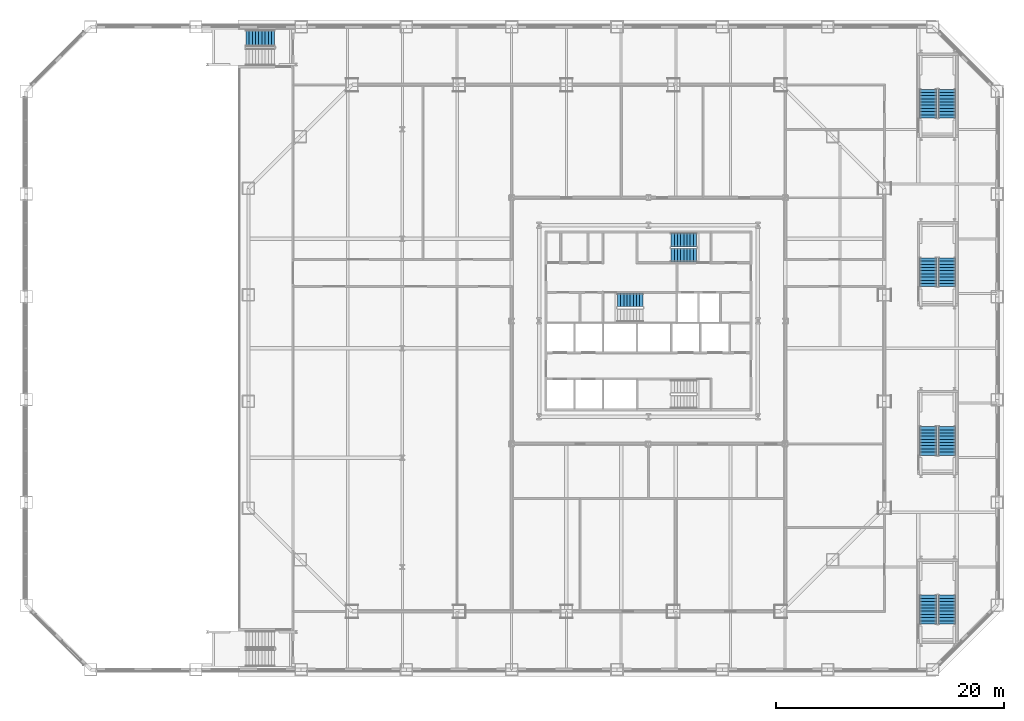
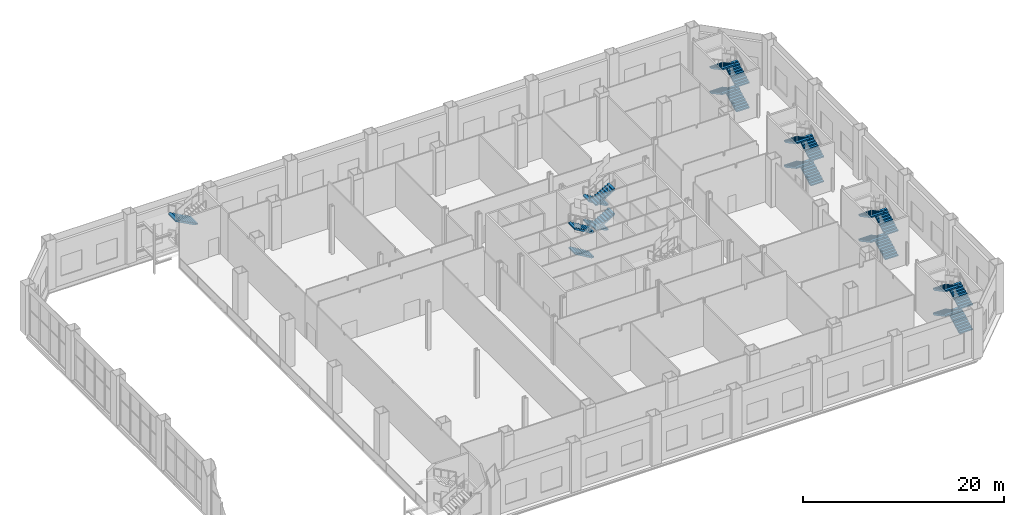
# One storey, part 23 of 31: 23 stair flights, 7 elements without a shape of their own.
"""IFC4 building model written with IfcOpenShell, lengths in metres."""

import ifcopenshell
import ifcopenshell.guid

model = None  # the IFC model being written
_history = None  # IfcOwnerHistory: only IFC2X3 demands one
_inside = {}  # id of a spatial element -> (the spatial element, [elements in it])
_under = {}  # id of a project, library or spatial element -> (it, [spatial elements below it])
_declared = {}  # id of a project -> (the project, [libraries it declares])
_typed = {}  # id of a type object -> (the type object, [elements of that type])
_made_of = {}  # id of a material, layer set ... -> (it, [elements and type objects made of it])


def new_model(schema):
    """Start an empty IFC model of exactly this schema.

    Asked for "IFC4X3", IfcOpenShell would pick the latest addendum, in which some entities
    have other attributes; the version numbers below select the first issue.
    IFC2X3 requires an IfcOwnerHistory on every rooted entity: one is made here for all.
    """
    global model, _history
    if schema == "IFC4X3":
        model = ifcopenshell.file(schema_version=(4, 3, 0, 0))
    else:
        model = ifcopenshell.file(schema=schema)
    _inside.clear()
    _under.clear()
    _declared.clear()
    _typed.clear()
    _made_of.clear()
    _history = None
    if model.schema == "IFC2X3":
        org = make("IfcOrganization", Name="unknown")
        user = make(
            "IfcPersonAndOrganization",
            ThePerson=make("IfcPerson", FamilyName="unknown"),
            TheOrganization=org,
        )
        app = make(
            "IfcApplication",
            ApplicationDeveloper=org,
            Version="unknown",
            ApplicationFullName="unknown",
            ApplicationIdentifier="unknown",
        )
        _history = make(
            "IfcOwnerHistory",
            OwningUser=user,
            OwningApplication=app,
            ChangeAction="ADDED",
            CreationDate=0,
        )
    return model


def make(cls, **values):
    """One entity of the class cls with the attributes given. An attribute that is None is left unset."""
    return model.create_entity(
        cls, **{name: value for name, value in values.items() if value is not None}
    )


def rooted(cls, **values):
    """An entity with a GlobalId (a new one), such as an element, a storey or a relation."""
    return make(cls, GlobalId=ifcopenshell.guid.new(), OwnerHistory=_history, **values)


def si_unit(unit_type, name, prefix=None):
    """IfcSIUnit, for example si_unit("LENGTHUNIT", "METRE", prefix="MILLI")."""
    return make("IfcSIUnit", UnitType=unit_type, Prefix=prefix, Name=name)


def assignment(units):
    """IfcUnitAssignment: the units of a project."""
    return None if units is None else make("IfcUnitAssignment", Units=units)


def point(xyz):
    """IfcCartesianPoint."""
    return None if xyz is None else make("IfcCartesianPoint", Coordinates=xyz)


def direction(xyz):
    """IfcDirection."""
    return None if xyz is None else make("IfcDirection", DirectionRatios=xyz)


def frame(location, z_axis=None, x_axis=None):
    """IfcAxis2Placement3D, a coordinate frame: its origin and axes. An axis left out is left unset."""
    return make(
        "IfcAxis2Placement3D",
        Location=point(location),
        Axis=direction(z_axis),
        RefDirection=direction(x_axis),
    )


def origin():
    """The frame at (0, 0, 0) with its axes left unset."""
    return frame((0.0, 0.0, 0.0))


def place(relative_to, where):
    """IfcLocalPlacement: puts the frame where relative to a parent placement (None: the world)."""
    return make(
        "IfcLocalPlacement", PlacementRelTo=relative_to, RelativePlacement=where
    )


def context(
    kind, dimensions, precision=None, world=None, true_north=None, identifier=None
):
    """IfcGeometricRepresentationContext, for example the 3D "Model" context."""
    return make(
        "IfcGeometricRepresentationContext",
        ContextIdentifier=identifier,
        ContextType=kind,
        CoordinateSpaceDimension=dimensions,
        Precision=precision,
        WorldCoordinateSystem=world,
        TrueNorth=true_north,
    )


def subcontext(parent, identifier, kind, view, scale=None):
    """IfcGeometricRepresentationSubContext, for example "Body" below "Model"."""
    return make(
        "IfcGeometricRepresentationSubContext",
        ContextIdentifier=identifier,
        ContextType=kind,
        ParentContext=parent,
        TargetScale=scale,
        TargetView=view,
    )


def project(units=None, contexts=None):
    """IfcProject with its units and contexts."""
    return rooted(
        "IfcProject",
        Name="project",
        RepresentationContexts=contexts,
        UnitsInContext=assignment(units),
    )


def spatial(cls, under=None, at=None, **own):
    """A site, building, storey or space (cls), placed at a placement, below another one or the project."""
    s = rooted(cls, ObjectPlacement=at, **own)
    if under is not None:
        _under.setdefault(under.id(), (under, []))[1].append(s)
    return s


def polyline(points):
    """IfcPolyline through the points."""
    return make("IfcPolyline", Points=[point(p) for p in points])


def outline(outer, holes=None, kind="AREA"):
    """IfcArbitraryClosedProfileDef: a profile drawn as a closed curve; with holes, ...WithVoids."""
    if holes is None:
        return make("IfcArbitraryClosedProfileDef", ProfileType=kind, OuterCurve=outer)
    return make(
        "IfcArbitraryProfileDefWithVoids",
        ProfileType=kind,
        OuterCurve=outer,
        InnerCurves=holes,
    )


def extrude(swept, where, along, depth):
    """IfcExtrudedAreaSolid: the profile swept, set in the frame where, extruded along a direction by depth."""
    return make(
        "IfcExtrudedAreaSolid",
        SweptArea=swept,
        Position=where,
        ExtrudedDirection=direction(along),
        Depth=depth,
    )


def shape(context_of_items, identifier, shape_type, items):
    """IfcShapeRepresentation: the items that make up one representation, for example the "Body"."""
    return make(
        "IfcShapeRepresentation",
        ContextOfItems=context_of_items,
        RepresentationIdentifier=identifier,
        RepresentationType=shape_type,
        Items=items,
    )


def material(Name=None, Category=None):
    """IfcMaterial."""
    return make("IfcMaterial", Name=Name, Category=Category)


def made_of(thing, what):
    """Note that an element or type object is made of a material, layer set ...; save() writes the relation."""
    if what is not None:
        _made_of.setdefault(what.id(), (what, []))[1].append(thing)
    return thing


def type_object(cls, material=None, **own):
    """A type object (cls), such as IfcWallType, which elements share."""
    return made_of(rooted(cls, **own), material)


def element(
    cls,
    number,
    at=None,
    inside=None,
    cuts=None,
    type_object=None,
    material=None,
    context=None,
    identifier="Body",
    shape_type=None,
    held_by="IfcProductDefinitionShape",
    body=None,
    shapes=None,
    **own,
):
    """One element of the class cls, such as IfcWall. Its Tag is "e" and its number.

    at: its placement. inside: the storey or other place that contains it. cuts: it is an
    opening in that element (IfcRelVoidsElement). A single representation is given by context,
    identifier, shape_type and body (its items); several are given by shapes. held_by: the class
    of the entity that holds the representations. save() writes the other relations.
    """
    e = rooted(cls, Tag="e%d" % number, ObjectPlacement=at, **own)
    if body is not None:
        shapes = [shape(context, identifier, shape_type, body)]
    if shapes is not None:
        e.Representation = make(held_by, Representations=shapes)
    if inside is not None:
        _inside.setdefault(inside.id(), (inside, []))[1].append(e)
    if cuts is not None:
        rooted(
            "IfcRelVoidsElement", RelatingBuildingElement=cuts, RelatedOpeningElement=e
        )
    if type_object is not None:
        _typed.setdefault(type_object.id(), (type_object, []))[1].append(e)
    return made_of(e, material)


def aggregate(whole, parts):
    """IfcRelAggregates: a whole, such as a stair, and the parts it consists of."""
    return rooted("IfcRelAggregates", RelatingObject=whole, RelatedObjects=parts)


def save(model, path):
    """Write the relations noted so far, then the file.

    IfcRelAggregates (storeys below a building ...), IfcRelContainedInSpatialStructure (elements
    in a storey), IfcRelDefinesByType, IfcRelAssociatesMaterial and IfcRelDeclares: one each for
    every whole, place, type object, material and project.
    """
    for whole, parts in _under.values():
        aggregate(whole, parts)
    for where, things in _inside.values():
        rooted(
            "IfcRelContainedInSpatialStructure",
            RelatedElements=things,
            RelatingStructure=where,
        )
    for kind, things in _typed.values():
        rooted("IfcRelDefinesByType", RelatedObjects=things, RelatingType=kind)
    for what, things in _made_of.values():
        rooted("IfcRelAssociatesMaterial", RelatedObjects=things, RelatingMaterial=what)
    for by, libraries in _declared.values():
        rooted("IfcRelDeclares", RelatingContext=by, RelatedDefinitions=libraries)
    model.write(path)


model = new_model("IFC4")

# Units and contexts
model_context = context("Model", 3, precision=1e-05, world=origin(), true_north=direction((0.0, 1.0)))
body_context = subcontext(model_context, "Body", "Model", "MODEL_VIEW")
ifc_project = project(units=[si_unit("LENGTHUNIT", "METRE"), si_unit("AREAUNIT", "SQUARE_METRE"), si_unit("VOLUMEUNIT", "CUBIC_METRE"), si_unit("PLANEANGLEUNIT", "RADIAN"), si_unit("MASSUNIT", "GRAM", prefix="KILO")], contexts=[model_context])

# Site, building, storey
site_placement = place(None, origin())
site = spatial("IfcSite", under=ifc_project, at=site_placement, CompositionType="ELEMENT")
building_placement = place(site_placement, origin())
building = spatial("IfcBuilding", under=site, at=building_placement, Name="Cairn Pilgrim Tower", CompositionType="ELEMENT")
storey_placement = place(building_placement, frame((0.0, 0.0, 15.0)))
storey = spatial("IfcBuildingStorey", under=building, at=storey_placement, Name="L02", CompositionType="ELEMENT", Elevation=15.0)

# Stair, stair flight
ifc_material_1 = material(Name="Concrete C35/45", Category="concrete")
stair_type_1 = type_object("IfcStairType", Name="PODIUM EXIT STAIR 1500", PredefinedType="HALF_TURN_STAIR", material=ifc_material_1)
stair_1_placement = place(storey_placement, origin())
stair_1 = element("IfcStair", 1, at=stair_1_placement, inside=storey, type_object=stair_type_1, Name="L02 Exit Stair Hn", PredefinedType="HALF_TURN_STAIR")
stair_flight_type_1 = type_object("IfcStairFlightType", Name="PODIUM STAIR FLIGHT 1500", PredefinedType="STRAIGHT", material=ifc_material_1)
stair_flight_1_placement = place(storey_placement, frame((-25.60009765625, 27.199951171875, 3.0), z_axis=(0.0, 0.0, 1.0), x_axis=(-1.0, 0.0, 0.0)))
stair_flight_1 = element("IfcStairFlight", 2, at=stair_flight_1_placement, type_object=stair_flight_type_1, Name="ST-HN flight 3", NumberOfRisers=10, NumberOfTreads=9, PredefinedType="STRAIGHT", RiserHeight=0.15, TreadLength=0.28, context=body_context, shape_type="SweptSolid", body=[
    extrude(outline(polyline([(0.0, 0.0), (0.0, 0.14990234375), (0.280029296875, 0.14990234375), (0.280029296875, 0.300048828125), (0.56005859375, 0.300048828125), (0.56005859375, 0.449951171875), (0.840087890625, 0.449951171875), (0.840087890625, 0.60009765625), (1.1201171875, 0.60009765625), (1.1201171875, 0.75), (1.39990234375, 0.75), (1.39990234375, 0.89990234375), (1.679931640625, 0.89990234375), (1.679931640625, 1.050048828125), (1.9599609375, 1.050048828125), (1.9599609375, 1.199951171875), (2.239990234375, 1.199951171875), (2.239990234375, 1.35009765625), (2.52001953125, 1.35009765625), (2.52001953125, 1.5), (2.52001953125, 1.179931640625), (0.3173828125, 0.0), (0.0, 0.0)])), frame((0.0, 0.75, 0.0), z_axis=(0.0, -1.0, 0.0), x_axis=(1.0, 0.0, 0.0)), (0.0, 0.0, 1.0), 1.5),
])
aggregate(stair_1, [stair_flight_1])

# Stair, stair flights
stair_2_placement = place(storey_placement, origin())
stair_2 = element("IfcStair", 3, at=stair_2_placement, inside=storey, type_object=stair_type_1, Name="L02 Exit Stair Es1", PredefinedType="HALF_TURN_STAIR")
stair_flight_2_placement = place(storey_placement, frame((33.39990234375, -24.199951171875, 0.0), z_axis=(0.0, 0.0, 1.0), x_axis=(0.0, 1.0, 0.0)))
stair_flight_2 = element("IfcStairFlight", 4, at=stair_flight_2_placement, type_object=stair_flight_type_1, Name="ST-ES1 flight 1", NumberOfRisers=10, NumberOfTreads=9, PredefinedType="STRAIGHT", RiserHeight=0.15, TreadLength=0.28, context=body_context, shape_type="SweptSolid", body=[
    extrude(outline(polyline([(0.0, 0.0), (0.0, 0.14990234375), (0.280029296875, 0.14990234375), (0.280029296875, 0.300048828125), (0.56005859375, 0.300048828125), (0.56005859375, 0.449951171875), (0.840087890625, 0.449951171875), (0.840087890625, 0.60009765625), (1.1201171875, 0.60009765625), (1.1201171875, 0.75), (1.39990234375, 0.75), (1.39990234375, 0.89990234375), (1.679931640625, 0.89990234375), (1.679931640625, 1.050048828125), (1.9599609375, 1.050048828125), (1.9599609375, 1.199951171875), (2.239990234375, 1.199951171875), (2.239990234375, 1.35009765625), (2.52001953125, 1.35009765625), (2.52001953125, 1.5), (2.52001953125, 1.179931640625), (0.3173828125, 0.0), (0.0, 0.0)])), frame((0.0, 0.75, 0.0), z_axis=(0.0, -1.0, 0.0), x_axis=(1.0, 0.0, 0.0)), (0.0, 0.0, 1.0), 1.5),
])
stair_flight_3_placement = place(storey_placement, frame((31.75, -21.679931640625, 1.5), z_axis=(0.0, 0.0, 1.0), x_axis=(0.0, -1.0, 0.0)))
stair_flight_3 = element("IfcStairFlight", 5, at=stair_flight_3_placement, type_object=stair_flight_type_1, Name="ST-ES1 flight 2", NumberOfRisers=10, NumberOfTreads=9, PredefinedType="STRAIGHT", RiserHeight=0.15, TreadLength=0.28, context=body_context, shape_type="SweptSolid", body=[
    extrude(outline(polyline([(0.0, 0.0), (0.0, 0.14990234375), (0.280029296875, 0.14990234375), (0.280029296875, 0.300048828125), (0.56005859375, 0.300048828125), (0.56005859375, 0.449951171875), (0.840087890625, 0.449951171875), (0.840087890625, 0.60009765625), (1.1201171875, 0.60009765625), (1.1201171875, 0.75), (1.39990234375, 0.75), (1.39990234375, 0.89990234375), (1.679931640625, 0.89990234375), (1.679931640625, 1.050048828125), (1.9599609375, 1.050048828125), (1.9599609375, 1.199951171875), (2.239990234375, 1.199951171875), (2.239990234375, 1.35009765625), (2.52001953125, 1.35009765625), (2.52001953125, 1.5), (2.52001953125, 1.179931640625), (0.3173828125, 0.0), (0.0, 0.0)])), frame((0.0, 0.75, 0.0), z_axis=(0.0, -1.0, 0.0), x_axis=(1.0, 0.0, 0.0)), (0.0, 0.0, 1.0), 1.5),
])
stair_flight_4_placement = place(storey_placement, frame((33.39990234375, -24.199951171875, 3.0), z_axis=(0.0, 0.0, 1.0), x_axis=(0.0, 1.0, 0.0)))
stair_flight_4 = element("IfcStairFlight", 6, at=stair_flight_4_placement, type_object=stair_flight_type_1, Name="ST-ES1 flight 3", NumberOfRisers=10, NumberOfTreads=9, PredefinedType="STRAIGHT", RiserHeight=0.15, TreadLength=0.28, context=body_context, shape_type="SweptSolid", body=[
    extrude(outline(polyline([(0.0, 0.0), (0.0, 0.14990234375), (0.280029296875, 0.14990234375), (0.280029296875, 0.300048828125), (0.56005859375, 0.300048828125), (0.56005859375, 0.449951171875), (0.840087890625, 0.449951171875), (0.840087890625, 0.60009765625), (1.1201171875, 0.60009765625), (1.1201171875, 0.75), (1.39990234375, 0.75), (1.39990234375, 0.89990234375), (1.679931640625, 0.89990234375), (1.679931640625, 1.050048828125), (1.9599609375, 1.050048828125), (1.9599609375, 1.199951171875), (2.239990234375, 1.199951171875), (2.239990234375, 1.35009765625), (2.52001953125, 1.35009765625), (2.52001953125, 1.5), (2.52001953125, 1.179931640625), (0.3173828125, 0.0), (0.0, 0.0)])), frame((0.0, 0.75, 0.0), z_axis=(0.0, -1.0, 0.0), x_axis=(1.0, 0.0, 0.0)), (0.0, 0.0, 1.0), 1.5),
])
stair_flight_5_placement = place(storey_placement, frame((31.75, -21.679931640625, 4.5), z_axis=(0.0, 0.0, 1.0), x_axis=(0.0, -1.0, 0.0)))
stair_flight_5 = element("IfcStairFlight", 7, at=stair_flight_5_placement, type_object=stair_flight_type_1, Name="ST-ES1 flight 4", NumberOfRisers=10, NumberOfTreads=9, PredefinedType="STRAIGHT", RiserHeight=0.15, TreadLength=0.28, context=body_context, shape_type="SweptSolid", body=[
    extrude(outline(polyline([(0.0, 0.0), (0.0, 0.14990234375), (0.280029296875, 0.14990234375), (0.280029296875, 0.300048828125), (0.56005859375, 0.300048828125), (0.56005859375, 0.449951171875), (0.840087890625, 0.449951171875), (0.840087890625, 0.60009765625), (1.1201171875, 0.60009765625), (1.1201171875, 0.75), (1.39990234375, 0.75), (1.39990234375, 0.89990234375), (1.679931640625, 0.89990234375), (1.679931640625, 1.050048828125), (1.9599609375, 1.050048828125), (1.9599609375, 1.199951171875), (2.239990234375, 1.199951171875), (2.239990234375, 1.35009765625), (2.52001953125, 1.35009765625), (2.52001953125, 1.5), (2.52001953125, 1.179931640625), (0.3173828125, 0.0), (0.0, 0.0)])), frame((0.0, 0.75, 0.0), z_axis=(0.0, -1.0, 0.0), x_axis=(1.0, 0.0, 0.0)), (0.0, 0.0, 1.0), 1.5),
])
aggregate(stair_2, [stair_flight_2, stair_flight_3, stair_flight_4, stair_flight_5])

stair_3_placement = place(storey_placement, origin())
stair_3 = element("IfcStair", 8, at=stair_3_placement, inside=storey, type_object=stair_type_1, Name="L02 Exit Stair Es2", PredefinedType="HALF_TURN_STAIR")
stair_flight_6_placement = place(storey_placement, frame((33.39990234375, -9.39990234375, 0.0), z_axis=(0.0, 0.0, 1.0), x_axis=(0.0, 1.0, 0.0)))
stair_flight_6 = element("IfcStairFlight", 9, at=stair_flight_6_placement, type_object=stair_flight_type_1, Name="ST-ES2 flight 1", NumberOfRisers=10, NumberOfTreads=9, PredefinedType="STRAIGHT", RiserHeight=0.15, TreadLength=0.28, context=body_context, shape_type="SweptSolid", body=[
    extrude(outline(polyline([(0.0, 0.0), (0.0, 0.14990234375), (0.280029296875, 0.14990234375), (0.280029296875, 0.300048828125), (0.56005859375, 0.300048828125), (0.56005859375, 0.449951171875), (0.840087890625, 0.449951171875), (0.840087890625, 0.60009765625), (1.1201171875, 0.60009765625), (1.1201171875, 0.75), (1.39990234375, 0.75), (1.39990234375, 0.89990234375), (1.679931640625, 0.89990234375), (1.679931640625, 1.050048828125), (1.9599609375, 1.050048828125), (1.9599609375, 1.199951171875), (2.239990234375, 1.199951171875), (2.239990234375, 1.35009765625), (2.52001953125, 1.35009765625), (2.52001953125, 1.5), (2.52001953125, 1.179931640625), (0.3173828125, 0.0), (0.0, 0.0)])), frame((0.0, 0.75, 0.0), z_axis=(0.0, -1.0, 0.0), x_axis=(1.0, 0.0, 0.0)), (0.0, 0.0, 1.0), 1.5),
])
stair_flight_7_placement = place(storey_placement, frame((31.75, -6.8798828125, 1.5), z_axis=(0.0, 0.0, 1.0), x_axis=(0.0, -1.0, 0.0)))
stair_flight_7 = element("IfcStairFlight", 10, at=stair_flight_7_placement, type_object=stair_flight_type_1, Name="ST-ES2 flight 2", NumberOfRisers=10, NumberOfTreads=9, PredefinedType="STRAIGHT", RiserHeight=0.15, TreadLength=0.28, context=body_context, shape_type="SweptSolid", body=[
    extrude(outline(polyline([(0.0, 0.0), (0.0, 0.14990234375), (0.280029296875, 0.14990234375), (0.280029296875, 0.300048828125), (0.56005859375, 0.300048828125), (0.56005859375, 0.449951171875), (0.840087890625, 0.449951171875), (0.840087890625, 0.60009765625), (1.1201171875, 0.60009765625), (1.1201171875, 0.75), (1.39990234375, 0.75), (1.39990234375, 0.89990234375), (1.679931640625, 0.89990234375), (1.679931640625, 1.050048828125), (1.9599609375, 1.050048828125), (1.9599609375, 1.199951171875), (2.239990234375, 1.199951171875), (2.239990234375, 1.35009765625), (2.52001953125, 1.35009765625), (2.52001953125, 1.5), (2.52001953125, 1.179931640625), (0.3173828125, 0.0), (0.0, 0.0)])), frame((0.0, 0.75, 0.0), z_axis=(0.0, -1.0, 0.0), x_axis=(1.0, 0.0, 0.0)), (0.0, 0.0, 1.0), 1.5),
])
stair_flight_8_placement = place(storey_placement, frame((33.39990234375, -9.39990234375, 3.0), z_axis=(0.0, 0.0, 1.0), x_axis=(0.0, 1.0, 0.0)))
stair_flight_8 = element("IfcStairFlight", 11, at=stair_flight_8_placement, type_object=stair_flight_type_1, Name="ST-ES2 flight 3", NumberOfRisers=10, NumberOfTreads=9, PredefinedType="STRAIGHT", RiserHeight=0.15, TreadLength=0.28, context=body_context, shape_type="SweptSolid", body=[
    extrude(outline(polyline([(0.0, 0.0), (0.0, 0.14990234375), (0.280029296875, 0.14990234375), (0.280029296875, 0.300048828125), (0.56005859375, 0.300048828125), (0.56005859375, 0.449951171875), (0.840087890625, 0.449951171875), (0.840087890625, 0.60009765625), (1.1201171875, 0.60009765625), (1.1201171875, 0.75), (1.39990234375, 0.75), (1.39990234375, 0.89990234375), (1.679931640625, 0.89990234375), (1.679931640625, 1.050048828125), (1.9599609375, 1.050048828125), (1.9599609375, 1.199951171875), (2.239990234375, 1.199951171875), (2.239990234375, 1.35009765625), (2.52001953125, 1.35009765625), (2.52001953125, 1.5), (2.52001953125, 1.179931640625), (0.3173828125, 0.0), (0.0, 0.0)])), frame((0.0, 0.75, 0.0), z_axis=(0.0, -1.0, 0.0), x_axis=(1.0, 0.0, 0.0)), (0.0, 0.0, 1.0), 1.5),
])
stair_flight_9_placement = place(storey_placement, frame((31.75, -6.8798828125, 4.5), z_axis=(0.0, 0.0, 1.0), x_axis=(0.0, -1.0, 0.0)))
stair_flight_9 = element("IfcStairFlight", 12, at=stair_flight_9_placement, type_object=stair_flight_type_1, Name="ST-ES2 flight 4", NumberOfRisers=10, NumberOfTreads=9, PredefinedType="STRAIGHT", RiserHeight=0.15, TreadLength=0.28, context=body_context, shape_type="SweptSolid", body=[
    extrude(outline(polyline([(0.0, 0.0), (0.0, 0.14990234375), (0.280029296875, 0.14990234375), (0.280029296875, 0.300048828125), (0.56005859375, 0.300048828125), (0.56005859375, 0.449951171875), (0.840087890625, 0.449951171875), (0.840087890625, 0.60009765625), (1.1201171875, 0.60009765625), (1.1201171875, 0.75), (1.39990234375, 0.75), (1.39990234375, 0.89990234375), (1.679931640625, 0.89990234375), (1.679931640625, 1.050048828125), (1.9599609375, 1.050048828125), (1.9599609375, 1.199951171875), (2.239990234375, 1.199951171875), (2.239990234375, 1.35009765625), (2.52001953125, 1.35009765625), (2.52001953125, 1.5), (2.52001953125, 1.179931640625), (0.3173828125, 0.0), (0.0, 0.0)])), frame((0.0, 0.75, 0.0), z_axis=(0.0, -1.0, 0.0), x_axis=(1.0, 0.0, 0.0)), (0.0, 0.0, 1.0), 1.5),
])
aggregate(stair_3, [stair_flight_6, stair_flight_7, stair_flight_8, stair_flight_9])

stair_4_placement = place(storey_placement, origin())
stair_4 = element("IfcStair", 13, at=stair_4_placement, inside=storey, type_object=stair_type_1, Name="L02 Exit Stair Es3", PredefinedType="HALF_TURN_STAIR")
stair_flight_10_placement = place(storey_placement, frame((33.39990234375, 5.39990234375, 0.0), z_axis=(0.0, 0.0, 1.0), x_axis=(0.0, 1.0, 0.0)))
stair_flight_10 = element("IfcStairFlight", 14, at=stair_flight_10_placement, type_object=stair_flight_type_1, Name="ST-ES3 flight 1", NumberOfRisers=10, NumberOfTreads=9, PredefinedType="STRAIGHT", RiserHeight=0.15, TreadLength=0.28, context=body_context, shape_type="SweptSolid", body=[
    extrude(outline(polyline([(0.0, 0.0), (0.0, 0.14990234375), (0.280029296875, 0.14990234375), (0.280029296875, 0.300048828125), (0.56005859375, 0.300048828125), (0.56005859375, 0.449951171875), (0.840087890625, 0.449951171875), (0.840087890625, 0.60009765625), (1.1201171875, 0.60009765625), (1.1201171875, 0.75), (1.39990234375, 0.75), (1.39990234375, 0.89990234375), (1.679931640625, 0.89990234375), (1.679931640625, 1.050048828125), (1.9599609375, 1.050048828125), (1.9599609375, 1.199951171875), (2.239990234375, 1.199951171875), (2.239990234375, 1.35009765625), (2.52001953125, 1.35009765625), (2.52001953125, 1.5), (2.52001953125, 1.179931640625), (0.3173828125, 0.0), (0.0, 0.0)])), frame((0.0, 0.75, 0.0), z_axis=(0.0, -1.0, 0.0), x_axis=(1.0, 0.0, 0.0)), (0.0, 0.0, 1.0), 1.5),
])
stair_flight_11_placement = place(storey_placement, frame((31.75, 7.919921875, 1.5), z_axis=(0.0, 0.0, 1.0), x_axis=(0.0, -1.0, 0.0)))
stair_flight_11 = element("IfcStairFlight", 15, at=stair_flight_11_placement, type_object=stair_flight_type_1, Name="ST-ES3 flight 2", NumberOfRisers=10, NumberOfTreads=9, PredefinedType="STRAIGHT", RiserHeight=0.15, TreadLength=0.28, context=body_context, shape_type="SweptSolid", body=[
    extrude(outline(polyline([(0.0, 0.0), (0.0, 0.14990234375), (0.280029296875, 0.14990234375), (0.280029296875, 0.300048828125), (0.56005859375, 0.300048828125), (0.56005859375, 0.449951171875), (0.840087890625, 0.449951171875), (0.840087890625, 0.60009765625), (1.1201171875, 0.60009765625), (1.1201171875, 0.75), (1.39990234375, 0.75), (1.39990234375, 0.89990234375), (1.679931640625, 0.89990234375), (1.679931640625, 1.050048828125), (1.9599609375, 1.050048828125), (1.9599609375, 1.199951171875), (2.239990234375, 1.199951171875), (2.239990234375, 1.35009765625), (2.52001953125, 1.35009765625), (2.52001953125, 1.5), (2.52001953125, 1.179931640625), (0.3173828125, 0.0), (0.0, 0.0)])), frame((0.0, 0.75, 0.0), z_axis=(0.0, -1.0, 0.0), x_axis=(1.0, 0.0, 0.0)), (0.0, 0.0, 1.0), 1.5),
])
stair_flight_12_placement = place(storey_placement, frame((33.39990234375, 5.39990234375, 3.0), z_axis=(0.0, 0.0, 1.0), x_axis=(0.0, 1.0, 0.0)))
stair_flight_12 = element("IfcStairFlight", 16, at=stair_flight_12_placement, type_object=stair_flight_type_1, Name="ST-ES3 flight 3", NumberOfRisers=10, NumberOfTreads=9, PredefinedType="STRAIGHT", RiserHeight=0.15, TreadLength=0.28, context=body_context, shape_type="SweptSolid", body=[
    extrude(outline(polyline([(0.0, 0.0), (0.0, 0.14990234375), (0.280029296875, 0.14990234375), (0.280029296875, 0.300048828125), (0.56005859375, 0.300048828125), (0.56005859375, 0.449951171875), (0.840087890625, 0.449951171875), (0.840087890625, 0.60009765625), (1.1201171875, 0.60009765625), (1.1201171875, 0.75), (1.39990234375, 0.75), (1.39990234375, 0.89990234375), (1.679931640625, 0.89990234375), (1.679931640625, 1.050048828125), (1.9599609375, 1.050048828125), (1.9599609375, 1.199951171875), (2.239990234375, 1.199951171875), (2.239990234375, 1.35009765625), (2.52001953125, 1.35009765625), (2.52001953125, 1.5), (2.52001953125, 1.179931640625), (0.3173828125, 0.0), (0.0, 0.0)])), frame((0.0, 0.75, 0.0), z_axis=(0.0, -1.0, 0.0), x_axis=(1.0, 0.0, 0.0)), (0.0, 0.0, 1.0), 1.5),
])
stair_flight_13_placement = place(storey_placement, frame((31.75, 7.919921875, 4.5), z_axis=(0.0, 0.0, 1.0), x_axis=(0.0, -1.0, 0.0)))
stair_flight_13 = element("IfcStairFlight", 17, at=stair_flight_13_placement, type_object=stair_flight_type_1, Name="ST-ES3 flight 4", NumberOfRisers=10, NumberOfTreads=9, PredefinedType="STRAIGHT", RiserHeight=0.15, TreadLength=0.28, context=body_context, shape_type="SweptSolid", body=[
    extrude(outline(polyline([(0.0, 0.0), (0.0, 0.14990234375), (0.280029296875, 0.14990234375), (0.280029296875, 0.300048828125), (0.56005859375, 0.300048828125), (0.56005859375, 0.449951171875), (0.840087890625, 0.449951171875), (0.840087890625, 0.60009765625), (1.1201171875, 0.60009765625), (1.1201171875, 0.75), (1.39990234375, 0.75), (1.39990234375, 0.89990234375), (1.679931640625, 0.89990234375), (1.679931640625, 1.050048828125), (1.9599609375, 1.050048828125), (1.9599609375, 1.199951171875), (2.239990234375, 1.199951171875), (2.239990234375, 1.35009765625), (2.52001953125, 1.35009765625), (2.52001953125, 1.5), (2.52001953125, 1.179931640625), (0.3173828125, 0.0), (0.0, 0.0)])), frame((0.0, 0.75, 0.0), z_axis=(0.0, -1.0, 0.0), x_axis=(1.0, 0.0, 0.0)), (0.0, 0.0, 1.0), 1.5),
])
aggregate(stair_4, [stair_flight_10, stair_flight_11, stair_flight_12, stair_flight_13])

stair_5_placement = place(storey_placement, origin())
stair_5 = element("IfcStair", 18, at=stair_5_placement, inside=storey, type_object=stair_type_1, Name="L02 Exit Stair Es4", PredefinedType="HALF_TURN_STAIR")
stair_flight_14_placement = place(storey_placement, frame((33.39990234375, 20.199951171875, 0.0), z_axis=(0.0, 0.0, 1.0), x_axis=(0.0, 1.0, 0.0)))
stair_flight_14 = element("IfcStairFlight", 19, at=stair_flight_14_placement, type_object=stair_flight_type_1, Name="ST-ES4 flight 1", NumberOfRisers=10, NumberOfTreads=9, PredefinedType="STRAIGHT", RiserHeight=0.15, TreadLength=0.28, context=body_context, shape_type="SweptSolid", body=[
    extrude(outline(polyline([(0.0, 0.0), (0.0, 0.14990234375), (0.280029296875, 0.14990234375), (0.280029296875, 0.300048828125), (0.56005859375, 0.300048828125), (0.56005859375, 0.449951171875), (0.840087890625, 0.449951171875), (0.840087890625, 0.60009765625), (1.1201171875, 0.60009765625), (1.1201171875, 0.75), (1.39990234375, 0.75), (1.39990234375, 0.89990234375), (1.679931640625, 0.89990234375), (1.679931640625, 1.050048828125), (1.9599609375, 1.050048828125), (1.9599609375, 1.199951171875), (2.239990234375, 1.199951171875), (2.239990234375, 1.35009765625), (2.52001953125, 1.35009765625), (2.52001953125, 1.5), (2.52001953125, 1.179931640625), (0.3173828125, 0.0), (0.0, 0.0)])), frame((0.0, 0.75, 0.0), z_axis=(0.0, -1.0, 0.0), x_axis=(1.0, 0.0, 0.0)), (0.0, 0.0, 1.0), 1.5),
])
stair_flight_15_placement = place(storey_placement, frame((31.75, 22.719970703125, 1.5), z_axis=(0.0, 0.0, 1.0), x_axis=(0.0, -1.0, 0.0)))
stair_flight_15 = element("IfcStairFlight", 20, at=stair_flight_15_placement, type_object=stair_flight_type_1, Name="ST-ES4 flight 2", NumberOfRisers=10, NumberOfTreads=9, PredefinedType="STRAIGHT", RiserHeight=0.15, TreadLength=0.28, context=body_context, shape_type="SweptSolid", body=[
    extrude(outline(polyline([(0.0, 0.0), (0.0, 0.14990234375), (0.280029296875, 0.14990234375), (0.280029296875, 0.300048828125), (0.56005859375, 0.300048828125), (0.56005859375, 0.449951171875), (0.840087890625, 0.449951171875), (0.840087890625, 0.60009765625), (1.1201171875, 0.60009765625), (1.1201171875, 0.75), (1.39990234375, 0.75), (1.39990234375, 0.89990234375), (1.679931640625, 0.89990234375), (1.679931640625, 1.050048828125), (1.9599609375, 1.050048828125), (1.9599609375, 1.199951171875), (2.239990234375, 1.199951171875), (2.239990234375, 1.35009765625), (2.52001953125, 1.35009765625), (2.52001953125, 1.5), (2.52001953125, 1.179931640625), (0.3173828125, 0.0), (0.0, 0.0)])), frame((0.0, 0.75, 0.0), z_axis=(0.0, -1.0, 0.0), x_axis=(1.0, 0.0, 0.0)), (0.0, 0.0, 1.0), 1.5),
])
stair_flight_16_placement = place(storey_placement, frame((33.39990234375, 20.199951171875, 3.0), z_axis=(0.0, 0.0, 1.0), x_axis=(0.0, 1.0, 0.0)))
stair_flight_16 = element("IfcStairFlight", 21, at=stair_flight_16_placement, type_object=stair_flight_type_1, Name="ST-ES4 flight 3", NumberOfRisers=10, NumberOfTreads=9, PredefinedType="STRAIGHT", RiserHeight=0.15, TreadLength=0.28, context=body_context, shape_type="SweptSolid", body=[
    extrude(outline(polyline([(0.0, 0.0), (0.0, 0.14990234375), (0.280029296875, 0.14990234375), (0.280029296875, 0.300048828125), (0.56005859375, 0.300048828125), (0.56005859375, 0.449951171875), (0.840087890625, 0.449951171875), (0.840087890625, 0.60009765625), (1.1201171875, 0.60009765625), (1.1201171875, 0.75), (1.39990234375, 0.75), (1.39990234375, 0.89990234375), (1.679931640625, 0.89990234375), (1.679931640625, 1.050048828125), (1.9599609375, 1.050048828125), (1.9599609375, 1.199951171875), (2.239990234375, 1.199951171875), (2.239990234375, 1.35009765625), (2.52001953125, 1.35009765625), (2.52001953125, 1.5), (2.52001953125, 1.179931640625), (0.3173828125, 0.0), (0.0, 0.0)])), frame((0.0, 0.75, 0.0), z_axis=(0.0, -1.0, 0.0), x_axis=(1.0, 0.0, 0.0)), (0.0, 0.0, 1.0), 1.5),
])
stair_flight_17_placement = place(storey_placement, frame((31.75, 22.719970703125, 4.5), z_axis=(0.0, 0.0, 1.0), x_axis=(0.0, -1.0, 0.0)))
stair_flight_17 = element("IfcStairFlight", 22, at=stair_flight_17_placement, type_object=stair_flight_type_1, Name="ST-ES4 flight 4", NumberOfRisers=10, NumberOfTreads=9, PredefinedType="STRAIGHT", RiserHeight=0.15, TreadLength=0.28, context=body_context, shape_type="SweptSolid", body=[
    extrude(outline(polyline([(0.0, 0.0), (0.0, 0.14990234375), (0.280029296875, 0.14990234375), (0.280029296875, 0.300048828125), (0.56005859375, 0.300048828125), (0.56005859375, 0.449951171875), (0.840087890625, 0.449951171875), (0.840087890625, 0.60009765625), (1.1201171875, 0.60009765625), (1.1201171875, 0.75), (1.39990234375, 0.75), (1.39990234375, 0.89990234375), (1.679931640625, 0.89990234375), (1.679931640625, 1.050048828125), (1.9599609375, 1.050048828125), (1.9599609375, 1.199951171875), (2.239990234375, 1.199951171875), (2.239990234375, 1.35009765625), (2.52001953125, 1.35009765625), (2.52001953125, 1.5), (2.52001953125, 1.179931640625), (0.3173828125, 0.0), (0.0, 0.0)])), frame((0.0, 0.75, 0.0), z_axis=(0.0, -1.0, 0.0), x_axis=(1.0, 0.0, 0.0)), (0.0, 0.0, 1.0), 1.5),
])
aggregate(stair_5, [stair_flight_14, stair_flight_15, stair_flight_16, stair_flight_17])

ifc_material_2 = material(Name="Concrete C32/40", Category="concrete")
stair_type_2 = type_object("IfcStairType", Name="EXIT STAIR 1200", PredefinedType="HALF_TURN_STAIR", material=ifc_material_2)
stair_6_placement = place(storey_placement, origin())
stair_6 = element("IfcStair", 23, at=stair_6_placement, inside=storey, type_object=stair_type_2, Name="L02 Exit Stair B", PredefinedType="HALF_TURN_STAIR")
stair_flight_type_2 = type_object("IfcStairFlightType", Name="STAIR FLIGHT 1200", PredefinedType="STRAIGHT", material=ifc_material_2)
stair_flight_18_placement = place(storey_placement, frame((6.715087890625, 4.22509765625, 1.5), z_axis=(0.0, 0.0, 1.0), x_axis=(-1.0, 0.0, 0.0)))
stair_flight_18 = element("IfcStairFlight", 24, at=stair_flight_18_placement, type_object=stair_flight_type_2, Name="ST-B flight 2", NumberOfRisers=9, NumberOfTreads=8, PredefinedType="STRAIGHT", RiserHeight=0.166666667, TreadLength=0.28, context=body_context, shape_type="SweptSolid", body=[
    extrude(outline(polyline([(0.0, 0.0), (0.0, 0.166748046875), (0.280029296875, 0.166748046875), (0.280029296875, 0.333251953125), (0.56005859375, 0.333251953125), (0.56005859375, 0.5), (0.840087890625, 0.5), (0.840087890625, 0.666748046875), (1.1201171875, 0.666748046875), (1.1201171875, 0.833251953125), (1.39990234375, 0.833251953125), (1.39990234375, 1.0), (1.679931640625, 1.0), (1.679931640625, 1.166748046875), (1.9599609375, 1.166748046875), (1.9599609375, 1.333251953125), (2.239990234375, 1.333251953125), (2.239990234375, 1.5), (2.239990234375, 1.158935546875), (0.29296875, 0.0), (0.0, 0.0)])), frame((0.0, 0.60009765625, 0.0), z_axis=(0.0, -1.0, 0.0), x_axis=(1.0, 0.0, 0.0)), (0.0, 0.0, 1.0), 1.199951171875),
])
stair_flight_19_placement = place(storey_placement, frame((6.715087890625, 4.22509765625, 4.5), z_axis=(0.0, 0.0, 1.0), x_axis=(-1.0, 0.0, 0.0)))
stair_flight_19 = element("IfcStairFlight", 25, at=stair_flight_19_placement, type_object=stair_flight_type_2, Name="ST-B flight 4", NumberOfRisers=9, NumberOfTreads=8, PredefinedType="STRAIGHT", RiserHeight=0.166666667, TreadLength=0.28, context=body_context, shape_type="SweptSolid", body=[
    extrude(outline(polyline([(0.0, 0.0), (0.0, 0.166748046875), (0.280029296875, 0.166748046875), (0.280029296875, 0.333251953125), (0.56005859375, 0.333251953125), (0.56005859375, 0.5), (0.840087890625, 0.5), (0.840087890625, 0.666748046875), (1.1201171875, 0.666748046875), (1.1201171875, 0.833251953125), (1.39990234375, 0.833251953125), (1.39990234375, 1.0), (1.679931640625, 1.0), (1.679931640625, 1.166748046875), (1.9599609375, 1.166748046875), (1.9599609375, 1.333251953125), (2.239990234375, 1.333251953125), (2.239990234375, 1.5), (2.239990234375, 1.158935546875), (0.29296875, 0.0), (0.0, 0.0)])), frame((0.0, 0.60009765625, 0.0), z_axis=(0.0, -1.0, 0.0), x_axis=(1.0, 0.0, 0.0)), (0.0, 0.0, 1.0), 1.199951171875),
])
aggregate(stair_6, [stair_flight_18, stair_flight_19])

stair_7_placement = place(storey_placement, origin())
stair_7 = element("IfcStair", 26, at=stair_7_placement, inside=storey, type_object=stair_type_2, Name="L02 Exit Stair C", PredefinedType="HALF_TURN_STAIR")
stair_flight_20_placement = place(storey_placement, frame((11.425048828125, 9.5, 0.0), z_axis=(0.0, 0.0, 1.0), x_axis=(-1.0, 0.0, 0.0)))
stair_flight_20 = element("IfcStairFlight", 27, at=stair_flight_20_placement, type_object=stair_flight_type_2, Name="ST-C flight 1", NumberOfRisers=9, NumberOfTreads=8, PredefinedType="STRAIGHT", RiserHeight=0.166666667, TreadLength=0.28, context=body_context, shape_type="SweptSolid", body=[
    extrude(outline(polyline([(0.0, 0.0), (0.0, 0.166748046875), (0.280029296875, 0.166748046875), (0.280029296875, 0.333251953125), (0.56005859375, 0.333251953125), (0.56005859375, 0.5), (0.840087890625, 0.5), (0.840087890625, 0.666748046875), (1.1201171875, 0.666748046875), (1.1201171875, 0.833251953125), (1.39990234375, 0.833251953125), (1.39990234375, 1.0), (1.679931640625, 1.0), (1.679931640625, 1.166748046875), (1.9599609375, 1.166748046875), (1.9599609375, 1.333251953125), (2.239990234375, 1.333251953125), (2.239990234375, 1.5), (2.239990234375, 1.158935546875), (0.29296875, 0.0), (0.0, 0.0)])), frame((0.0, 0.60009765625, 0.0), z_axis=(0.0, -1.0, 0.0), x_axis=(1.0, 0.0, 0.0)), (0.0, 0.0, 1.0), 1.199951171875),
])
stair_flight_21_placement = place(storey_placement, frame((9.18505859375, 8.175048828125, 1.5), z_axis=(0.0, 0.0, 1.0), x_axis=(1.0, 0.0, 0.0)))
stair_flight_21 = element("IfcStairFlight", 28, at=stair_flight_21_placement, type_object=stair_flight_type_2, Name="ST-C flight 2", NumberOfRisers=9, NumberOfTreads=8, PredefinedType="STRAIGHT", RiserHeight=0.166666667, TreadLength=0.28, context=body_context, shape_type="SweptSolid", body=[
    extrude(outline(polyline([(0.0, 0.0), (0.0, 0.166748046875), (0.280029296875, 0.166748046875), (0.280029296875, 0.333251953125), (0.56005859375, 0.333251953125), (0.56005859375, 0.5), (0.840087890625, 0.5), (0.840087890625, 0.666748046875), (1.1201171875, 0.666748046875), (1.1201171875, 0.833251953125), (1.39990234375, 0.833251953125), (1.39990234375, 1.0), (1.679931640625, 1.0), (1.679931640625, 1.166748046875), (1.9599609375, 1.166748046875), (1.9599609375, 1.333251953125), (2.239990234375, 1.333251953125), (2.239990234375, 1.5), (2.239990234375, 1.158935546875), (0.29296875, 0.0), (0.0, 0.0)])), frame((0.0, 0.60009765625, 0.0), z_axis=(0.0, -1.0, 0.0), x_axis=(1.0, 0.0, 0.0)), (0.0, 0.0, 1.0), 1.199951171875),
])
stair_flight_22_placement = place(storey_placement, frame((11.425048828125, 9.5, 3.0), z_axis=(0.0, 0.0, 1.0), x_axis=(-1.0, 0.0, 0.0)))
stair_flight_22 = element("IfcStairFlight", 29, at=stair_flight_22_placement, type_object=stair_flight_type_2, Name="ST-C flight 3", NumberOfRisers=9, NumberOfTreads=8, PredefinedType="STRAIGHT", RiserHeight=0.166666667, TreadLength=0.28, context=body_context, shape_type="SweptSolid", body=[
    extrude(outline(polyline([(0.0, 0.0), (0.0, 0.166748046875), (0.280029296875, 0.166748046875), (0.280029296875, 0.333251953125), (0.56005859375, 0.333251953125), (0.56005859375, 0.5), (0.840087890625, 0.5), (0.840087890625, 0.666748046875), (1.1201171875, 0.666748046875), (1.1201171875, 0.833251953125), (1.39990234375, 0.833251953125), (1.39990234375, 1.0), (1.679931640625, 1.0), (1.679931640625, 1.166748046875), (1.9599609375, 1.166748046875), (1.9599609375, 1.333251953125), (2.239990234375, 1.333251953125), (2.239990234375, 1.5), (2.239990234375, 1.158935546875), (0.29296875, 0.0), (0.0, 0.0)])), frame((0.0, 0.60009765625, 0.0), z_axis=(0.0, -1.0, 0.0), x_axis=(1.0, 0.0, 0.0)), (0.0, 0.0, 1.0), 1.199951171875),
])
stair_flight_23_placement = place(storey_placement, frame((9.18505859375, 8.175048828125, 4.5), z_axis=(0.0, 0.0, 1.0), x_axis=(1.0, 0.0, 0.0)))
stair_flight_23 = element("IfcStairFlight", 30, at=stair_flight_23_placement, type_object=stair_flight_type_2, Name="ST-C flight 4", NumberOfRisers=9, NumberOfTreads=8, PredefinedType="STRAIGHT", RiserHeight=0.166666667, TreadLength=0.28, context=body_context, shape_type="SweptSolid", body=[
    extrude(outline(polyline([(0.0, 0.0), (0.0, 0.166748046875), (0.280029296875, 0.166748046875), (0.280029296875, 0.333251953125), (0.56005859375, 0.333251953125), (0.56005859375, 0.5), (0.840087890625, 0.5), (0.840087890625, 0.666748046875), (1.1201171875, 0.666748046875), (1.1201171875, 0.833251953125), (1.39990234375, 0.833251953125), (1.39990234375, 1.0), (1.679931640625, 1.0), (1.679931640625, 1.166748046875), (1.9599609375, 1.166748046875), (1.9599609375, 1.333251953125), (2.239990234375, 1.333251953125), (2.239990234375, 1.5), (2.239990234375, 1.158935546875), (0.29296875, 0.0), (0.0, 0.0)])), frame((0.0, 0.60009765625, 0.0), z_axis=(0.0, -1.0, 0.0), x_axis=(1.0, 0.0, 0.0)), (0.0, 0.0, 1.0), 1.199951171875),
])
aggregate(stair_7, [stair_flight_20, stair_flight_21, stair_flight_22, stair_flight_23])

save(model, "model.ifc")
